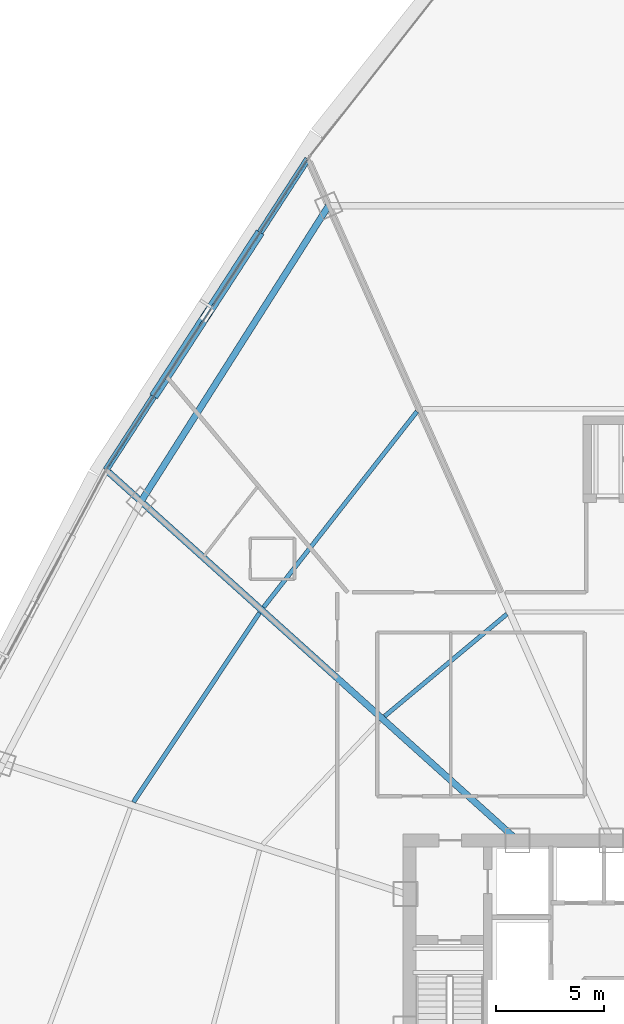
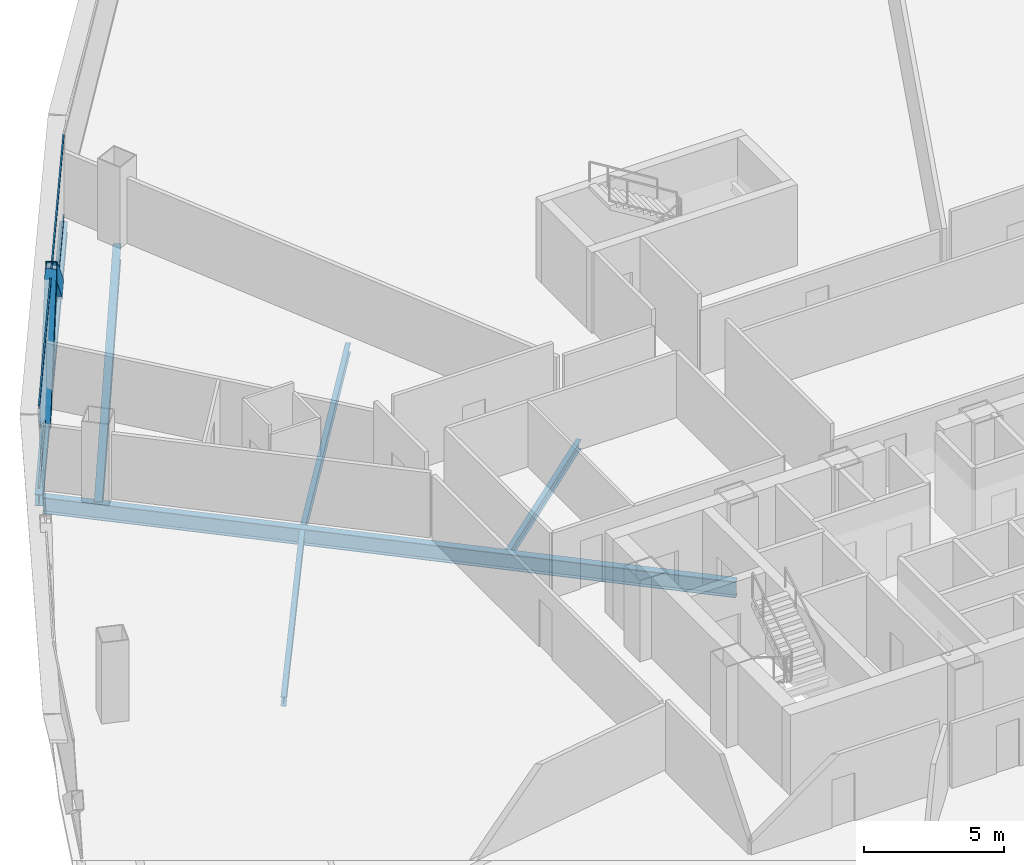
# One storey, part 15 of 37: 6 beams, 4 members, 1 element without a shape of its own.
"""IFC4 building model written with IfcOpenShell, lengths in metres."""

from ifc_helpers import new_model, si_unit, direction, frame, origin, origin_2d, place, context, subcontext, project, spatial, hollow_rectangle, i_section, extrude, source, transform, mapped, material, layer, layer_set, material_profile, profile_set, type_object, element, aggregate, save


model = new_model("IFC4")

# Units and contexts
model_context = context("Model", 3, precision=1e-05, world=origin(), true_north=direction((0.0, 1.0)))
body_context = subcontext(model_context, "Body", "Model", "MODEL_VIEW")
ifc_project = project(units=[si_unit("LENGTHUNIT", "METRE"), si_unit("AREAUNIT", "SQUARE_METRE"), si_unit("VOLUMEUNIT", "CUBIC_METRE"), si_unit("PLANEANGLEUNIT", "RADIAN"), si_unit("MASSUNIT", "GRAM", prefix="KILO"), si_unit("THERMODYNAMICTEMPERATUREUNIT", "KELVIN"), si_unit("POWERUNIT", "WATT")], contexts=[model_context])

# Site, building, storey
site_placement = place(None, origin())
site = spatial("IfcSite", under=ifc_project, at=site_placement, CompositionType="ELEMENT")
building_placement = place(site_placement, origin())
building = spatial("IfcBuilding", under=site, at=building_placement, Name="Yunzhuo Pagoda Commons", CompositionType="ELEMENT")
storey_placement = place(building_placement, frame((0.0, 0.0, 84.97998046875)))
storey = spatial("IfcBuildingStorey", under=building, at=storey_placement, Name="L21", CompositionType="ELEMENT", Elevation=84.97998046875)

# Beams
ifc_material_1 = material(Name="Structural steel Q355B", Category="steel")
ifc_material_profile_1 = material_profile(ifc_material_1, i_section(OverallWidth=0.300048828125, OverallDepth=0.488037109375, WebThickness=0.010986328125, FlangeThickness=0.01806640625, at=origin_2d()), Name="Structural steel Q355B")
ifc_profile_set_1 = profile_set([ifc_material_profile_1], Name="Structural steel Q355B")
beam_type_1 = type_object("IfcBeamType", Name="B-SP1 Beam HM 488x300x11x18", PredefinedType="BEAM", material=ifc_profile_set_1)
shared_shape_1 = source(origin(), body_context, "Body", "SweptSolid", [
    extrude(i_section(OverallWidth=0.300048828125, OverallDepth=0.488037109375, WebThickness=0.010986328125, FlangeThickness=0.01806640625, at=origin_2d()), origin(), (0.0, 0.0, 1.0), 17.115966796875),
])
beam_1_placement = place(storey_placement, frame((31.095947265625, 71.6669921875, -0.50390625), z_axis=(-0.544271692391, -0.83890900869, 0.0), x_axis=(0.83890900869, -0.544271692391, 0.0)))
element("IfcBeam", 1, at=beam_1_placement, inside=storey, type_object=beam_type_1, Name="L21 facade edge spandrel beam F3.1", PredefinedType="BEAM", context=body_context, shape_type="MappedRepresentation", body=[
    mapped(shared_shape_1, transform((0.0, 0.0, 0.0), scale=1.0)),
])
ifc_material_profile_2 = material_profile(ifc_material_1, i_section(OverallWidth=0.300048828125, OverallDepth=0.699951171875, WebThickness=0.012939453125, FlangeThickness=0.02392578125, at=origin_2d()), Name="Structural steel Q355B")
ifc_profile_set_2 = profile_set([ifc_material_profile_2], Name="Structural steel Q355B")
beam_type_2 = type_object("IfcBeamType", Name="B-RG1 Beam HN 700x300x13x24", PredefinedType="BEAM", material=ifc_profile_set_2)
shared_shape_2 = source(origin(), body_context, "Body", "SweptSolid", [
    extrude(i_section(OverallWidth=0.300048828125, OverallDepth=0.699951171875, WebThickness=0.012939453125, FlangeThickness=0.02392578125, at=origin_2d()), origin(), (0.0, 0.0, 1.0), 16.16845703125),
])
beam_2_placement = place(storey_placement, frame((32.05859375, 69.505126953125, -0.60986328125), z_axis=(-0.535695673154, -0.844411123662, 0.0), x_axis=(0.844411123662, -0.535695673154, 0.0)))
element("IfcBeam", 2, at=beam_2_placement, inside=storey, type_object=beam_type_2, Name="L21 column-ring beam 9", PredefinedType="BEAM", context=body_context, shape_type="MappedRepresentation", body=[
    mapped(shared_shape_2, transform((0.0, 0.0, 0.0), scale=1.0)),
])
shared_shape_3 = source(origin(), body_context, "Body", "SweptSolid", [
    extrude(i_section(OverallWidth=0.300048828125, OverallDepth=0.699951171875, WebThickness=0.012939453125, FlangeThickness=0.02392578125, at=origin_2d()), origin(), (0.0, 0.0, 1.0), 25.4130859375),
])
beam_3_placement = place(storey_placement, frame((21.8955078125, 57.20458984375, -0.60986328125), z_axis=(0.743143654342, -0.669131907034, 0.0), x_axis=(0.669131907034, 0.743143654342, 0.0)))
element("IfcBeam", 3, at=beam_3_placement, inside=storey, type_object=beam_type_2, Name="L21 radial floor girder F3C2", PredefinedType="BEAM", context=body_context, shape_type="MappedRepresentation", body=[
    mapped(shared_shape_3, transform((0.0, 0.0, 0.0), scale=1.0)),
])
ifc_material_profile_3 = material_profile(ifc_material_1, i_section(OverallWidth=0.199951171875, OverallDepth=0.39990234375, WebThickness=0.008056640625, FlangeThickness=0.012939453125, at=origin_2d()), Name="Structural steel Q355B")
ifc_profile_set_3 = profile_set([ifc_material_profile_3], Name="Structural steel Q355B")
beam_type_3 = type_object("IfcBeamType", Name="B-JS1 Joist HN 400x200x8x13", PredefinedType="JOIST", material=ifc_profile_set_3)
shared_shape_4 = source(origin(), body_context, "Body", "SweptSolid", [
    extrude(i_section(OverallWidth=0.199951171875, OverallDepth=0.39990234375, WebThickness=0.008056640625, FlangeThickness=0.012939453125, at=origin_2d()), origin(), (0.0, 0.0, 1.0), 10.50537109375),
])
beam_4_placement = place(storey_placement, frame((28.871826171875, 50.711181640625, -0.459716796875), z_axis=(-0.554523204193, -0.832168261839, 0.0), x_axis=(0.832168261839, -0.554523204193, 0.0)))
element("IfcBeam", 4, at=beam_4_placement, inside=storey, type_object=beam_type_3, Name="L21 composite ring joist 2.10", PredefinedType="JOIST", context=body_context, shape_type="MappedRepresentation", body=[
    mapped(shared_shape_4, transform((0.0, 0.0, 0.0), scale=1.0)),
])
shared_shape_5 = source(origin(), body_context, "Body", "SweptSolid", [
    extrude(i_section(OverallWidth=0.199951171875, OverallDepth=0.39990234375, WebThickness=0.008056640625, FlangeThickness=0.012939453125, at=origin_2d()), origin(), (0.0, 0.0, 1.0), 7.35009765625),
])
beam_5_placement = place(storey_placement, frame((40.286865234375, 50.64794921875, -0.459716796875), z_axis=(-0.767561992249, -0.640974717173, 0.0), x_axis=(0.640974717173, -0.767561992249, 0.0)))
element("IfcBeam", 5, at=beam_5_placement, inside=storey, type_object=beam_type_3, Name="L21 composite ring joist 1.9", PredefinedType="JOIST", context=body_context, shape_type="MappedRepresentation", body=[
    mapped(shared_shape_5, transform((0.0, 0.0, 0.0), scale=1.0)),
])
shared_shape_6 = source(origin(), body_context, "Body", "SweptSolid", [
    extrude(i_section(OverallWidth=0.199951171875, OverallDepth=0.39990234375, WebThickness=0.008056640625, FlangeThickness=0.012939453125, at=origin_2d()), origin(), (0.0, 0.0, 1.0), 11.4755859375),
])
beam_6_placement = place(storey_placement, frame((36.135498046875, 60.002197265625, -0.459716796875), z_axis=(-0.616713174055, -0.787187945123, 0.0), x_axis=(0.787187945123, -0.616713174055, 0.0)))
element("IfcBeam", 6, at=beam_6_placement, inside=storey, type_object=beam_type_3, Name="L21 composite ring joist 2.9", PredefinedType="JOIST", context=body_context, shape_type="MappedRepresentation", body=[
    mapped(shared_shape_6, transform((0.0, 0.0, 0.0), scale=1.0)),
])

# Members
ifc_material_2 = material(Name="Structural steel Q420B", Category="steel")
ifc_material_profile_4 = material_profile(ifc_material_2, hollow_rectangle(XDim=0.419921875, YDim=0.719970703125, WallThickness=0.028076171875, at=origin_2d()), Name="Structural steel Q420B")
ifc_profile_set_4 = profile_set([ifc_material_profile_4], Name="Structural steel Q420B")
member_type_1 = type_object("IfcMemberType", Name="M-DL1 Brace BOX 720x420x28", PredefinedType="BRACE", material=ifc_profile_set_4)
shared_shape_7 = source(origin(), body_context, "Body", "SweptSolid", [
    extrude(hollow_rectangle(XDim=0.419921875, YDim=0.719970703125, WallThickness=0.028076171875, at=origin_2d()), origin(), (0.0, 0.0, 1.0), 5.722900390625),
])
for number, where, z_axis, x_axis, name in (
    (7, (28.76708984375, 68.077392578125, -0.260009765625), (-0.406975638199, -0.627228805915, 0.664044317002), (0.838885244112, -0.544308319991, 0.0), "L21 facade diamond brace F3.1L"),
    (8, (24.109130859375, 60.898193359375, -0.260009765625), (0.406940043079, 0.627239695291, 0.664055845535), (-0.838911296143, 0.544268166627, 0.0), "L21 facade diamond brace F3.1R"),
):
    element("IfcMember", number, at=place(storey_placement, frame(where, z_axis=z_axis, x_axis=x_axis)), inside=storey, type_object=member_type_1, Name=name, PredefinedType="BRACE", context=body_context, shape_type="MappedRepresentation", body=[
        mapped(shared_shape_7, transform((0.0, 0.0, 0.0), scale=1.0)),
    ])

# Curtain wall, members
ifc_material_3 = material(Name="Anodized aluminium 6063-T6", Category="aluminium")
ifc_layer = layer(ifc_material_3, 0.1650390625)
ifc_layer_set = layer_set([ifc_layer], Name="Anodized aluminium 6063-T6")
curtain_wall_type = type_object("IfcCurtainWallType", Name="CW-LOW Low-Zone Ribbon Curtain Wall", PredefinedType="NOTDEFINED", material=ifc_layer_set)
curtain_wall_placement = place(storey_placement, origin())
curtain_wall = element("IfcCurtainWall", 9, at=curtain_wall_placement, inside=storey, type_object=curtain_wall_type, Name="L21 curtain wall CW-L21-F3B2", PredefinedType="NOTDEFINED")
ifc_material_profile_5 = material_profile(ifc_material_3, hollow_rectangle(XDim=0.06005859375, YDim=0.139892578125, WallThickness=0.00341796875, at=origin_2d()), Name="Anodized aluminium 6063-T6")
ifc_profile_set_5 = profile_set([ifc_material_profile_5], Name="Anodized aluminium 6063-T6")
member_type_2 = type_object("IfcMemberType", Name="CW-LOW-T Transom RHS 140x60x3.5", PredefinedType="USERDEFINED", material=ifc_profile_set_5)
shared_shape_8 = source(origin(), body_context, "Body", "SweptSolid", [
    extrude(hollow_rectangle(XDim=0.06005859375, YDim=0.139892578125, WallThickness=0.00341796875, at=origin_2d()), origin(), (0.0, 0.0, 1.0), 16.98583984375),
])
member_1_placement = place(storey_placement, frame((31.060546875, 71.612548828125, 0.030029296875), z_axis=(-0.544271762736, -0.838908963051, 0.0), x_axis=(0.838908963051, -0.544271762736, 0.0)))
member_1 = element("IfcMember", 10, at=member_1_placement, type_object=member_type_2, Name="CW transom 1.1", ObjectType="TRANSOM", PredefinedType="USERDEFINED", context=body_context, shape_type="MappedRepresentation", body=[
    mapped(shared_shape_8, transform((0.0, 0.0, 0.0), scale=1.0)),
])
member_2_placement = place(storey_placement, frame((31.060546875, 71.612548828125, 3.510009765625), z_axis=(-0.544271762736, -0.838908963051, 0.0), x_axis=(0.838908963051, -0.544271762736, 0.0)))
member_2 = element("IfcMember", 11, at=member_2_placement, type_object=member_type_2, Name="CW transom 1.2", ObjectType="TRANSOM", PredefinedType="USERDEFINED", context=body_context, shape_type="MappedRepresentation", body=[
    mapped(shared_shape_8, transform((0.0, 0.0, 0.0), scale=1.0)),
])
aggregate(curtain_wall, [member_1, member_2])

save(model, "model.ifc")
